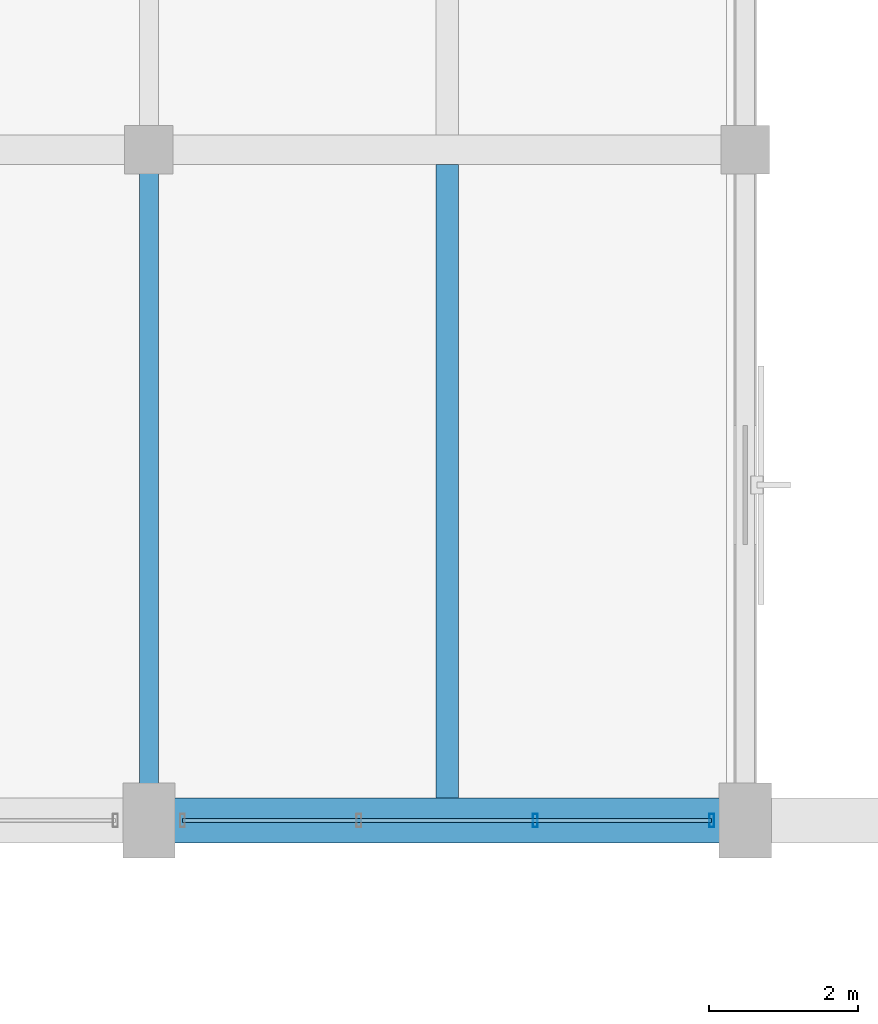
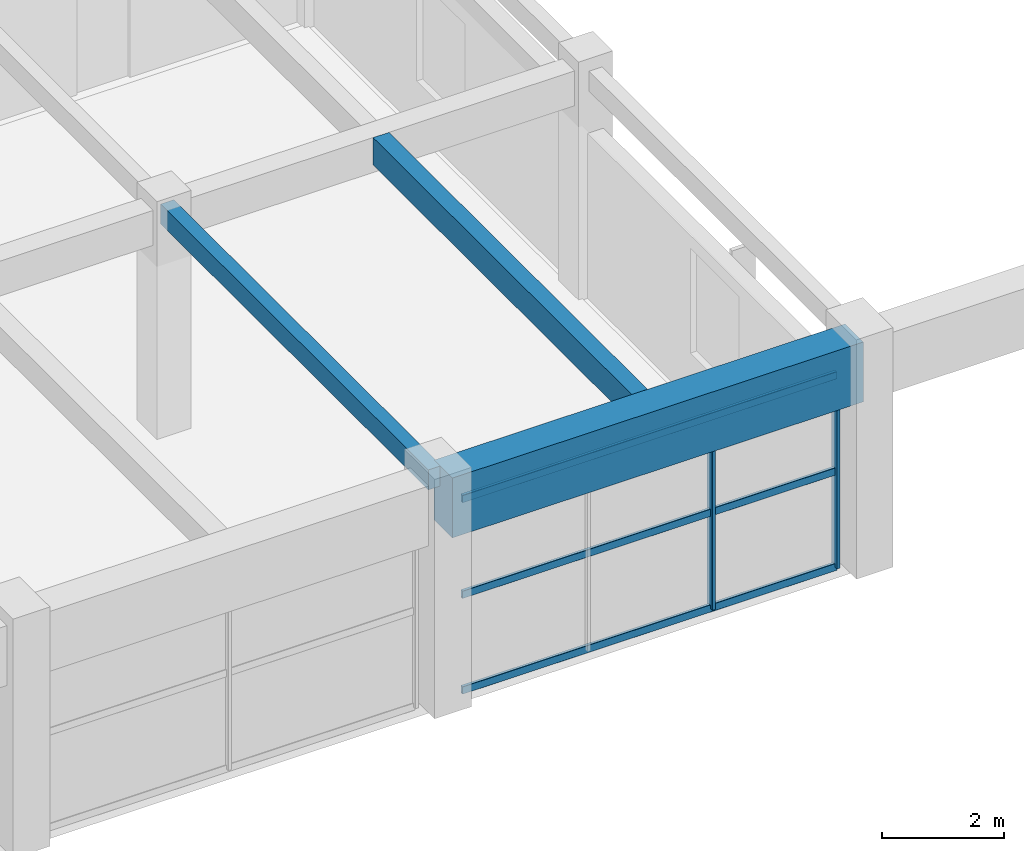
# One storey, part 90 of 144: 5 members, 3 beams, 1 element without a shape of its own.
"""IFC4 building model written with IfcOpenShell, lengths in metres."""

from ifc_helpers import new_model, si_unit, direction, frame, origin, origin_2d, place, context, subcontext, project, spatial, rectangle, hollow_rectangle, extrude, material, material_profile, profile_set, type_object, element, aggregate, save


model = new_model("IFC4")

# Units and contexts
model_context = context("Model", 3, precision=1e-05, world=origin(), true_north=direction((0.0, 1.0)))
body_context = subcontext(model_context, "Body", "Model", "MODEL_VIEW")
ifc_project = project(units=[si_unit("LENGTHUNIT", "METRE"), si_unit("AREAUNIT", "SQUARE_METRE"), si_unit("VOLUMEUNIT", "CUBIC_METRE"), si_unit("PLANEANGLEUNIT", "RADIAN"), si_unit("MASSUNIT", "GRAM", prefix="KILO")], contexts=[model_context])

# Site, building, storey
site_placement = place(None, origin())
site = spatial("IfcSite", under=ifc_project, at=site_placement, CompositionType="ELEMENT")
building_placement = place(site_placement, origin())
building = spatial("IfcBuilding", under=site, at=building_placement, Name="Varnabhumi Central Station", CompositionType="ELEMENT")
storey_placement = place(building_placement, frame((0.0, 0.0, 4.800048828125)))
storey = spatial("IfcBuildingStorey", under=building, at=storey_placement, Name="L01", CompositionType="ELEMENT", Elevation=4.800048828125)

# Beams
ifc_material_1 = material(Name="Concrete M50", Category="concrete")
ifc_material_profile_1 = material_profile(ifc_material_1, rectangle(XDim=0.60009765625, YDim=1.199951171875, at=origin_2d()), Name="Concrete M50", Category="concrete")
ifc_profile_set_1 = profile_set([ifc_material_profile_1], Name="Concrete M50")
beam_type_1 = type_object("IfcBeamType", Name="BM-RC-1200x600", PredefinedType="BEAM", material=ifc_profile_set_1)
beam_1_placement = place(storey_placement, frame((152.10009765625, 80.0, 3.949951171875), z_axis=(1.0, 0.0, 0.0), x_axis=(0.0, 1.0, 0.0)))
element("IfcBeam", 1, at=beam_1_placement, inside=storey, type_object=beam_type_1, Name="Beam L01-K:20-21", PredefinedType="BEAM", context=body_context, shape_type="SweptSolid", body=[
    extrude(rectangle(XDim=0.60009765625, YDim=1.199951171875, at=origin_2d()), origin(), (0.0, 0.0, 1.0), 7.7998046875),
])
ifc_material_2 = material(Name="Concrete M35", Category="concrete")
ifc_material_profile_2 = material_profile(ifc_material_2, rectangle(XDim=0.25, YDim=0.39990234375, at=origin_2d()), Name="Concrete M35", Category="concrete")
ifc_profile_set_2 = profile_set([ifc_material_profile_2], Name="Concrete M35")
beam_type_2 = type_object("IfcBeamType", Name="BM-RC-250x400", PredefinedType="LINTEL", material=ifc_profile_set_2)
beam_2_placement = place(storey_placement, frame((152.0, 80.10009765625, 4.349853515625), z_axis=(0.0, 1.0, 0.0), x_axis=(-1.0, 0.0, 0.0)))
element("IfcBeam", 2, at=beam_2_placement, inside=storey, type_object=beam_type_2, Name="Beam L01-20:K-L", PredefinedType="LINTEL", context=body_context, shape_type="SweptSolid", body=[
    extrude(rectangle(XDim=0.25, YDim=0.39990234375, at=origin_2d()), origin(), (0.0, 0.0, 1.0), 8.7998046875),
])
ifc_material_3 = material(Name="Concrete M40", Category="concrete")
ifc_material_profile_3 = material_profile(ifc_material_3, rectangle(XDim=0.300048828125, YDim=0.550048828125, at=origin_2d()), Name="Concrete M40", Category="concrete")
ifc_profile_set_3 = profile_set([ifc_material_profile_3], Name="Concrete M40")
beam_type_3 = type_object("IfcBeamType", Name="BM-RC-300x550", PredefinedType="JOIST", material=ifc_profile_set_3)
beam_3_placement = place(storey_placement, frame((156.0, 80.300048828125, 4.27490234375), z_axis=(0.0, 1.0, 0.0), x_axis=(-1.0, 0.0, 0.0)))
element("IfcBeam", 3, at=beam_3_placement, inside=storey, type_object=beam_type_3, Name="Secondary Joist L01-20/21:K-L", PredefinedType="JOIST", context=body_context, shape_type="SweptSolid", body=[
    extrude(rectangle(XDim=0.300048828125, YDim=0.550048828125, at=origin_2d()), origin(), (0.0, 0.0, 1.0), 8.5),
])

# Curtain wall, members
ifc_material_4 = material(Name="Anodised aluminium 6063-T6", Category="aluminium")
curtain_wall_type = type_object("IfcCurtainWallType", Name="CW-STREET-PORTAL", PredefinedType="NOTDEFINED", material=ifc_material_4)
curtain_wall_placement = place(storey_placement, origin())
curtain_wall = element("IfcCurtainWall", 4, at=curtain_wall_placement, inside=storey, type_object=curtain_wall_type, Name="Curtain Wall CW-NSP119", PredefinedType="NOTDEFINED")
ifc_material_profile_4 = material_profile(ifc_material_4, hollow_rectangle(XDim=0.06494140625, YDim=0.179931640625, WallThickness=0.00390625, InnerFilletRadius=0.001953125, OuterFilletRadius=0.006103515625, at=origin_2d()), Name="Anodised aluminium 6063-T6", Category="aluminium")
ifc_profile_set_4 = profile_set([ifc_material_profile_4], Name="Anodised aluminium 6063-T6")
member_type_1 = type_object("IfcMemberType", Name="CW-MUL-180", PredefinedType="MULLION", material=ifc_profile_set_4)
member_1_placement = place(storey_placement, frame((157.183349609375, 80.0, 0.0), z_axis=(0.0, 0.0, 1.0), x_axis=(1.0, 0.0, 0.0)))
member_1 = element("IfcMember", 5, at=member_1_placement, type_object=member_type_1, Name="Curtain Wall Mullion CW-NSP119-M3", PredefinedType="MULLION", context=body_context, shape_type="SweptSolid", body=[
    extrude(hollow_rectangle(XDim=0.06494140625, YDim=0.179931640625, WallThickness=0.00390625, InnerFilletRadius=0.001953125, OuterFilletRadius=0.006103515625, at=origin_2d()), origin(), (0.0, 0.0, 1.0), 3.83984375),
])
member_2_placement = place(storey_placement, frame((159.550048828125, 80.0, 0.0), z_axis=(0.0, 0.0, 1.0), x_axis=(1.0, 0.0, 0.0)))
member_2 = element("IfcMember", 6, at=member_2_placement, type_object=member_type_1, Name="Curtain Wall Mullion CW-NSP119-M4", PredefinedType="MULLION", context=body_context, shape_type="SweptSolid", body=[
    extrude(hollow_rectangle(XDim=0.06494140625, YDim=0.179931640625, WallThickness=0.00390625, InnerFilletRadius=0.001953125, OuterFilletRadius=0.006103515625, at=origin_2d()), origin(), (0.0, 0.0, 1.0), 3.83984375),
])
ifc_material_profile_5 = material_profile(ifc_material_4, hollow_rectangle(XDim=0.06005859375, YDim=0.14990234375, WallThickness=0.00390625, InnerFilletRadius=0.001953125, OuterFilletRadius=0.006103515625, at=origin_2d()), Name="Anodised aluminium 6063-T6", Category="aluminium")
ifc_profile_set_5 = profile_set([ifc_material_profile_5], Name="Anodised aluminium 6063-T6")
member_type_2 = type_object("IfcMemberType", Name="CW-TR-150", PredefinedType="USERDEFINED", material=ifc_profile_set_5)
member_3_placement = place(storey_placement, frame((152.449951171875, 80.0, 0.0), z_axis=(1.0, 0.0, 0.0), x_axis=(0.0, 1.0, 0.0)))
member_3 = element("IfcMember", 7, at=member_3_placement, type_object=member_type_2, Name="Curtain Wall Transom CW-NSP119-T1", ObjectType="TRANSOM", PredefinedType="USERDEFINED", context=body_context, shape_type="SweptSolid", body=[
    extrude(hollow_rectangle(XDim=0.06005859375, YDim=0.14990234375, WallThickness=0.00390625, InnerFilletRadius=0.001953125, OuterFilletRadius=0.006103515625, at=origin_2d()), origin(), (0.0, 0.0, 1.0), 7.10009765625),
])
member_4_placement = place(storey_placement, frame((152.449951171875, 80.0, 1.919921875), z_axis=(1.0, 0.0, 0.0), x_axis=(0.0, 1.0, 0.0)))
member_4 = element("IfcMember", 8, at=member_4_placement, type_object=member_type_2, Name="Curtain Wall Transom CW-NSP119-T2", ObjectType="TRANSOM", PredefinedType="USERDEFINED", context=body_context, shape_type="SweptSolid", body=[
    extrude(hollow_rectangle(XDim=0.06005859375, YDim=0.14990234375, WallThickness=0.00390625, InnerFilletRadius=0.001953125, OuterFilletRadius=0.006103515625, at=origin_2d()), origin(), (0.0, 0.0, 1.0), 7.10009765625),
])
member_5_placement = place(storey_placement, frame((152.449951171875, 80.0, 3.83984375), z_axis=(1.0, 0.0, 0.0), x_axis=(0.0, 1.0, 0.0)))
member_5 = element("IfcMember", 9, at=member_5_placement, type_object=member_type_2, Name="Curtain Wall Transom CW-NSP119-T3", ObjectType="TRANSOM", PredefinedType="USERDEFINED", context=body_context, shape_type="SweptSolid", body=[
    extrude(hollow_rectangle(XDim=0.06005859375, YDim=0.14990234375, WallThickness=0.00390625, InnerFilletRadius=0.001953125, OuterFilletRadius=0.006103515625, at=origin_2d()), origin(), (0.0, 0.0, 1.0), 7.10009765625),
])
aggregate(curtain_wall, [member_1, member_2, member_3, member_4, member_5])

save(model, "model.ifc")
